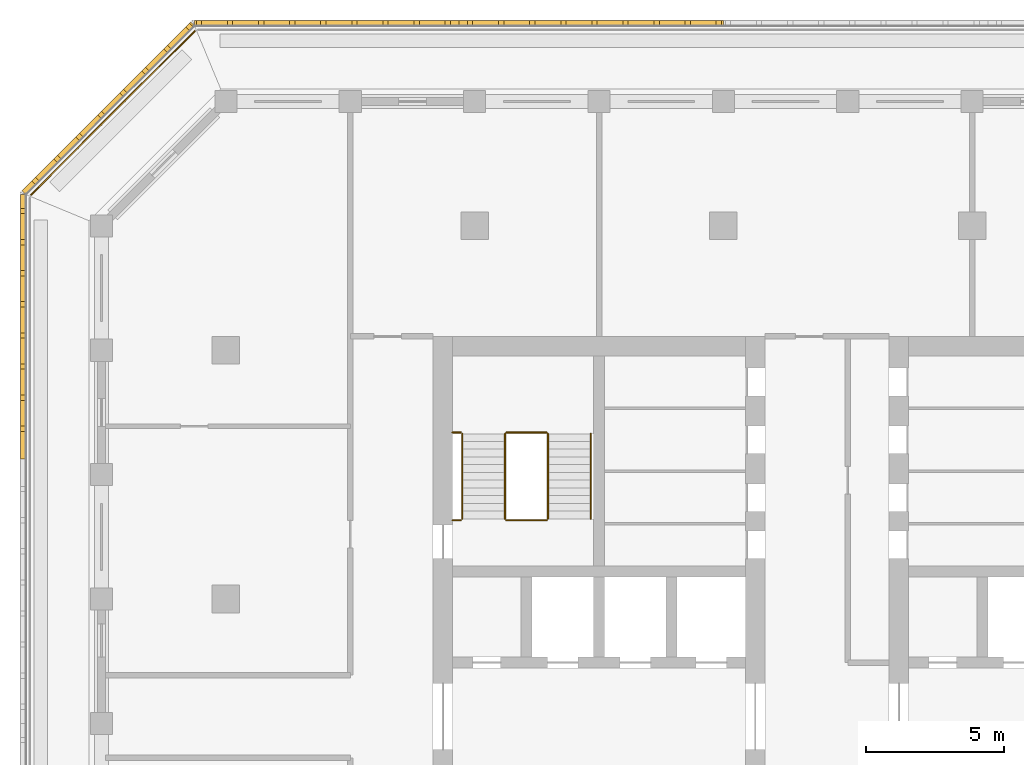
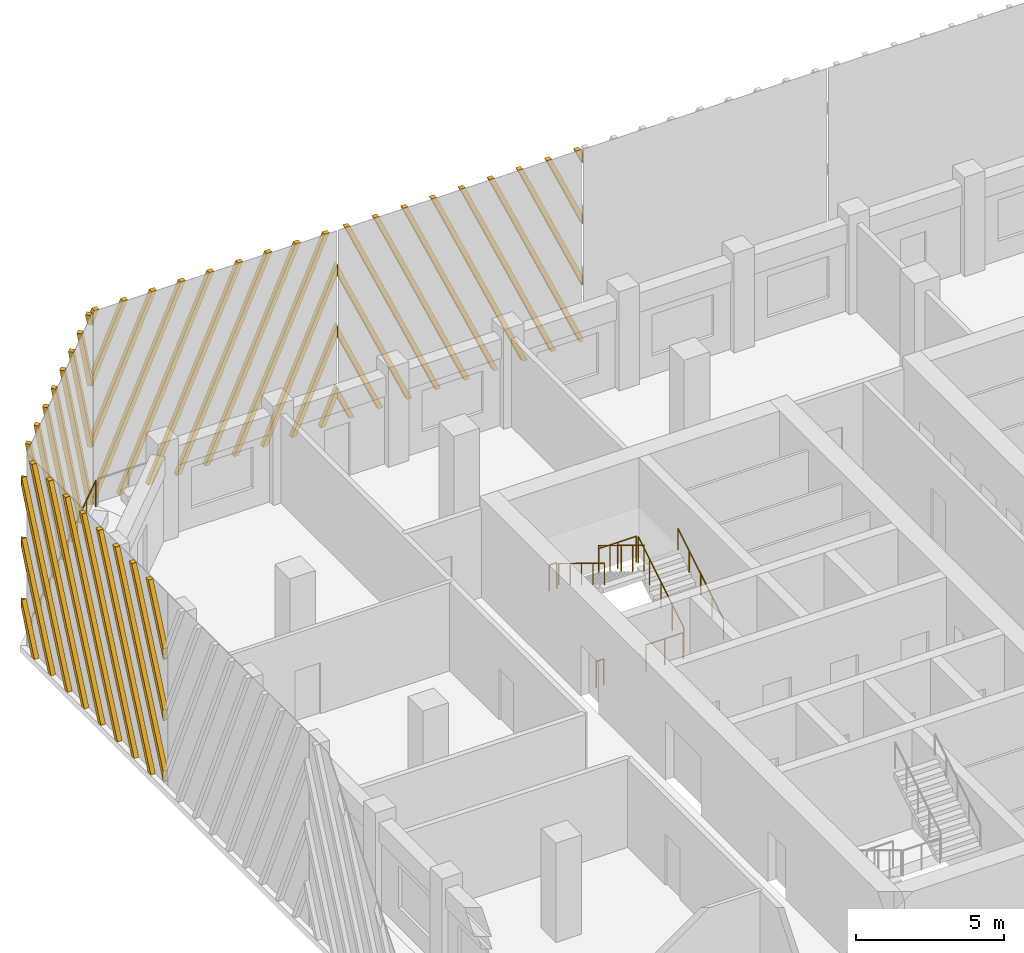
# One storey, part 12 of 15: 9 railings, 4 shading devices.
"""IFC4 building model written with IfcOpenShell, lengths in metres."""

from ifc_helpers import new_model, si_unit, direction, frame, origin, origin_2d, place, context, subcontext, project, spatial, polyline, circle, outline, extrude, source, transform, mapped, material, type_object, element, save


model = new_model("IFC4")

# Units and contexts
model_context = context("Model", 3, precision=1e-05, world=origin(), true_north=direction((0.0, 1.0)))
body_context = subcontext(model_context, "Body", "Model", "MODEL_VIEW")
ifc_project = project(units=[si_unit("LENGTHUNIT", "METRE"), si_unit("AREAUNIT", "SQUARE_METRE"), si_unit("VOLUMEUNIT", "CUBIC_METRE"), si_unit("PLANEANGLEUNIT", "RADIAN"), si_unit("MASSUNIT", "GRAM", prefix="KILO")], contexts=[model_context])

# Site, building, storey
site_placement = place(None, origin())
site = spatial("IfcSite", under=ifc_project, at=site_placement, CompositionType="ELEMENT")
building_placement = place(site_placement, origin())
building = spatial("IfcBuilding", under=site, at=building_placement, Name="Corbel Stack Research Tower", CompositionType="ELEMENT")
storey_placement = place(building_placement, frame((0.0, 0.0, 274.5)))
storey = spatial("IfcBuildingStorey", under=building, at=storey_placement, Name="L62", CompositionType="ELEMENT", Elevation=274.5)

# Railings
ifc_material_1 = material(Name="Steel S355", Category="steel")
railing_type_1 = type_object("IfcRailingType", Name="Stair guard 1100", PredefinedType="GUARDRAIL", material=ifc_material_1)
railing_1_placement = place(storey_placement, frame((-6.35009765625, 11.89990234375, 0.1708984375)))
element("IfcRailing", 1, at=railing_1_placement, inside=storey, type_object=railing_type_1, Name="L62 ST-W2 stair guard 1", PredefinedType="GUARDRAIL", context=body_context, shape_type="SweptSolid", body=[
    extrude(circle(Radius=0.02392578125, at=origin_2d()), frame((0.0, 0.0, 1.076171875), z_axis=(0.0, 0.853666305674, 0.52082035152), x_axis=(-1.0, 0.0, 0.0)), (0.0, 0.0, 1.0), 3.608154296875),
    extrude(circle(Radius=0.02099609375, at=origin_2d()), origin(), (0.0, 0.0, 1.0), 1.052001953125),
    extrude(circle(Radius=0.02099609375, at=origin_2d()), frame((0.0, 0.77001953125, 0.4697265625)), (0.0, 0.0, 1.0), 1.052001953125),
    extrude(circle(Radius=0.02099609375, at=origin_2d()), frame((0.0, 1.5400390625, 0.939453125)), (0.0, 0.0, 1.0), 1.052001953125),
    extrude(circle(Radius=0.02099609375, at=origin_2d()), frame((0.0, 2.31005859375, 1.409423828125)), (0.0, 0.0, 1.0), 1.052001953125),
    extrude(circle(Radius=0.02099609375, at=origin_2d()), frame((0.0, 3.080078125, 1.879150390625)), (0.0, 0.0, 1.0), 1.052001953125),
])
railing_2_placement = place(storey_placement, frame((-6.39990234375, 15.030029296875, 2.050048828125)))
element("IfcRailing", 2, at=railing_2_placement, inside=storey, type_object=railing_type_1, Name="L62 ST-W2 stair guard 2", PredefinedType="GUARDRAIL", context=body_context, shape_type="SweptSolid", body=[
    extrude(circle(Radius=0.02392578125, at=origin_2d()), frame((0.0, 0.0, 1.076171875), z_axis=(-1.0, 0.0, 0.0), x_axis=(0.0, -1.0, 0.0)), (0.0, 0.0, 1.0), 1.4501953125),
    extrude(circle(Radius=0.02099609375, at=origin_2d()), origin(), (0.0, 0.0, 1.0), 1.052001953125),
    extrude(circle(Radius=0.02099609375, at=origin_2d()), frame((-0.72509765625, 0.0, 0.0)), (0.0, 0.0, 1.0), 1.052001953125),
    extrude(circle(Radius=0.02099609375, at=origin_2d()), frame((-1.4501953125, 0.0, 0.0)), (0.0, 0.0, 1.0), 1.052001953125),
])
railing_3_placement = place(storey_placement, frame((-9.5, 15.030029296875, 2.050048828125)))
element("IfcRailing", 3, at=railing_3_placement, inside=storey, type_object=railing_type_1, Name="L62 ST-W2 stair guard 3", PredefinedType="GUARDRAIL", context=body_context, shape_type="SweptSolid", body=[
    extrude(circle(Radius=0.02392578125, at=origin_2d()), frame((0.0, 0.0, 1.076171875), z_axis=(-1.0, 0.0, 0.0), x_axis=(0.0, -1.0, 0.0)), (0.0, 0.0, 1.0), 0.300048828125),
    extrude(circle(Radius=0.02099609375, at=origin_2d()), origin(), (0.0, 0.0, 1.0), 1.052001953125),
    extrude(circle(Radius=0.02099609375, at=origin_2d()), frame((-0.300048828125, 0.0, 0.0)), (0.0, 0.0, 1.0), 1.052001953125),
])
railing_4_placement = place(storey_placement, frame((-7.89990234375, 14.97998046875, 2.220947265625)))
element("IfcRailing", 4, at=railing_4_placement, inside=storey, type_object=railing_type_1, Name="L62 ST-W2 stair guard 4", PredefinedType="GUARDRAIL", context=body_context, shape_type="SweptSolid", body=[
    extrude(circle(Radius=0.02392578125, at=origin_2d()), frame((0.0, 0.0, 1.076171875), z_axis=(0.0, -0.853666305674, 0.52082035152), x_axis=(1.0, 0.0, 0.0)), (0.0, 0.0, 1.0), 3.608154296875),
    extrude(circle(Radius=0.02099609375, at=origin_2d()), origin(), (0.0, 0.0, 1.0), 1.052001953125),
    extrude(circle(Radius=0.02099609375, at=origin_2d()), frame((0.0, -0.77001953125, 0.4697265625)), (0.0, 0.0, 1.0), 1.052001953125),
    extrude(circle(Radius=0.02099609375, at=origin_2d()), frame((0.0, -1.5400390625, 0.939453125)), (0.0, 0.0, 1.0), 1.052001953125),
    extrude(circle(Radius=0.02099609375, at=origin_2d()), frame((0.0, -2.31005859375, 1.409423828125)), (0.0, 0.0, 1.0), 1.052001953125),
    extrude(circle(Radius=0.02099609375, at=origin_2d()), frame((0.0, -3.080078125, 1.879150390625)), (0.0, 0.0, 1.0), 1.052001953125),
])
railing_5_placement = place(storey_placement, frame((-6.39990234375, 11.85009765625, 0.0)))
element("IfcRailing", 5, at=railing_5_placement, inside=storey, type_object=railing_type_1, Name="L62 ST-W2 stair guard 5", PredefinedType="GUARDRAIL", context=body_context, shape_type="SweptSolid", body=[
    extrude(circle(Radius=0.02392578125, at=origin_2d()), frame((0.0, 0.0, 1.076171875), z_axis=(-1.0, 0.0, 0.0), x_axis=(0.0, -1.0, 0.0)), (0.0, 0.0, 1.0), 1.4501953125),
    extrude(circle(Radius=0.02099609375, at=origin_2d()), origin(), (0.0, 0.0, 1.0), 1.052001953125),
    extrude(circle(Radius=0.02099609375, at=origin_2d()), frame((-0.72509765625, 0.0, 0.0)), (0.0, 0.0, 1.0), 1.052001953125),
    extrude(circle(Radius=0.02099609375, at=origin_2d()), frame((-1.4501953125, 0.0, 0.0)), (0.0, 0.0, 1.0), 1.052001953125),
])
railing_6_placement = place(storey_placement, frame((-9.5, 11.85009765625, 0.0)))
element("IfcRailing", 6, at=railing_6_placement, inside=storey, type_object=railing_type_1, Name="L62 ST-W2 stair guard 6", PredefinedType="GUARDRAIL", context=body_context, shape_type="SweptSolid", body=[
    extrude(circle(Radius=0.02392578125, at=origin_2d()), frame((0.0, 0.0, 1.076171875), z_axis=(-1.0, 0.0, 0.0), x_axis=(0.0, -1.0, 0.0)), (0.0, 0.0, 1.0), 0.300048828125),
    extrude(circle(Radius=0.02099609375, at=origin_2d()), origin(), (0.0, 0.0, 1.0), 1.052001953125),
    extrude(circle(Radius=0.02099609375, at=origin_2d()), frame((-0.300048828125, 0.0, 0.0)), (0.0, 0.0, 1.0), 1.052001953125),
])
ifc_material_2 = material(Name="Steel S355", Category="steel")
railing_type_2 = type_object("IfcRailingType", Name="Stair handrail 900", PredefinedType="HANDRAIL", material=ifc_material_2)
railing_7_placement = place(storey_placement, frame((-4.800048828125, 11.89990234375, 0.1708984375)))
element("IfcRailing", 7, at=railing_7_placement, inside=storey, type_object=railing_type_2, Name="L62 ST-W2 stair handrail 1", PredefinedType="HANDRAIL", context=body_context, shape_type="SweptSolid", body=[
    extrude(circle(Radius=0.02392578125, at=origin_2d()), frame((0.0, 0.0, 0.8759765625), z_axis=(0.0, 0.853666305674, 0.52082035152), x_axis=(-1.0, 0.0, 0.0)), (0.0, 0.0, 1.0), 3.608154296875),
    extrude(circle(Radius=0.02099609375, at=origin_2d()), origin(), (0.0, 0.0, 1.0), 0.851806640625),
    extrude(circle(Radius=0.02099609375, at=origin_2d()), frame((0.0, 0.77001953125, 0.4697265625)), (0.0, 0.0, 1.0), 0.851806640625),
    extrude(circle(Radius=0.02099609375, at=origin_2d()), frame((0.0, 1.5400390625, 0.939453125)), (0.0, 0.0, 1.0), 0.851806640625),
    extrude(circle(Radius=0.02099609375, at=origin_2d()), frame((0.0, 2.31005859375, 1.409423828125)), (0.0, 0.0, 1.0), 0.851806640625),
    extrude(circle(Radius=0.02099609375, at=origin_2d()), frame((0.0, 3.080078125, 1.879150390625)), (0.0, 0.0, 1.0), 0.851806640625),
])
railing_8_placement = place(storey_placement, frame((-9.449951171875, 14.97998046875, 2.220947265625)))
element("IfcRailing", 8, at=railing_8_placement, inside=storey, type_object=railing_type_2, Name="L62 ST-W2 stair handrail 2", PredefinedType="HANDRAIL", context=body_context, shape_type="SweptSolid", body=[
    extrude(circle(Radius=0.02392578125, at=origin_2d()), frame((0.0, 0.0, 0.8759765625), z_axis=(0.0, -0.853666305674, 0.52082035152), x_axis=(1.0, 0.0, 0.0)), (0.0, 0.0, 1.0), 3.608154296875),
    extrude(circle(Radius=0.02099609375, at=origin_2d()), origin(), (0.0, 0.0, 1.0), 0.851806640625),
    extrude(circle(Radius=0.02099609375, at=origin_2d()), frame((0.0, -0.77001953125, 0.4697265625)), (0.0, 0.0, 1.0), 0.851806640625),
    extrude(circle(Radius=0.02099609375, at=origin_2d()), frame((0.0, -1.5400390625, 0.939453125)), (0.0, 0.0, 1.0), 0.851806640625),
    extrude(circle(Radius=0.02099609375, at=origin_2d()), frame((0.0, -2.31005859375, 1.409423828125)), (0.0, 0.0, 1.0), 0.851806640625),
    extrude(circle(Radius=0.02099609375, at=origin_2d()), frame((0.0, -3.080078125, 1.879150390625)), (0.0, 0.0, 1.0), 0.851806640625),
])
ifc_material_3 = material(Name="Powder-coated steel guard", Category="steel")
railing_type_3 = type_object("IfcRailingType", Name="Steel and glass guard 1100", PredefinedType="GUARDRAIL", material=ifc_material_3)
railing_9_placement = place(storey_placement, frame((-19.127685546875, 29.54931640625, 0.0)))
element("IfcRailing", 9, at=railing_9_placement, inside=storey, type_object=railing_type_3, Name="Loggia guard L62 NW", PredefinedType="GUARDRAIL", context=body_context, shape_type="SweptSolid", body=[
    extrude(circle(Radius=0.02392578125, at=origin_2d()), frame((0.0, 0.0, 1.076171875), z_axis=(-0.707106781187, -0.707106781187, 0.0), x_axis=(0.707106781187, -0.707106781187, 0.0)), (0.0, 0.0, 1.0), 8.37451171875),
    extrude(circle(Radius=0.02099609375, at=origin_2d()), origin(), (0.0, 0.0, 1.0), 1.052001953125),
    extrude(circle(Radius=0.02099609375, at=origin_2d()), frame((-0.845947265625, -0.845947265625, 0.0)), (0.0, 0.0, 1.0), 1.052001953125),
    extrude(circle(Radius=0.02099609375, at=origin_2d()), frame((-1.69189453125, -1.69189453125, 0.0)), (0.0, 0.0, 1.0), 1.052001953125),
    extrude(circle(Radius=0.02099609375, at=origin_2d()), frame((-2.537841796875, -2.537841796875, 0.0)), (0.0, 0.0, 1.0), 1.052001953125),
    extrude(circle(Radius=0.02099609375, at=origin_2d()), frame((-3.3837890625, -3.3837890625, 0.0)), (0.0, 0.0, 1.0), 1.052001953125),
    extrude(circle(Radius=0.02099609375, at=origin_2d()), frame((-4.229736328125, -4.229736328125, 0.0)), (0.0, 0.0, 1.0), 1.052001953125),
    extrude(circle(Radius=0.02099609375, at=origin_2d()), frame((-5.07568359375, -5.07568359375, 0.0)), (0.0, 0.0, 1.0), 1.052001953125),
    extrude(circle(Radius=0.02099609375, at=origin_2d()), frame((-5.921630859375, -5.921630859375, 0.0)), (0.0, 0.0, 1.0), 1.052001953125),
])

# Shading devices
ifc_material_4 = material(Name="Precast terracotta", Category="masonry")
shading_device_type = type_object("IfcShadingDeviceType", Name="Terracotta screen panel", PredefinedType="USERDEFINED", material=ifc_material_4)
shared_shape_1 = source(origin(), body_context, "Body", "SweptSolid", [
    extrude(outline(polyline([(0.259521484375, 7.949951171875), (0.069580078125, 7.949951171875), (0.0, 7.793701171875), (0.0, 7.366943359375), (0.259521484375, 7.949951171875)])), frame((0.0, 0.0, 0.0), z_axis=(0.0, -1.0, 0.0), x_axis=(1.0, 0.0, 0.0)), (0.0, 0.0, 1.0), 0.179931640625),
    extrude(outline(polyline([(1.384521484375, 7.949951171875), (1.194580078125, 7.949951171875), (0.0, 5.26708984375), (0.0, 4.840087890625), (1.384521484375, 7.949951171875)])), frame((0.0, 0.0, 0.0), z_axis=(0.0, -1.0, 0.0), x_axis=(1.0, 0.0, 0.0)), (0.0, 0.0, 1.0), 0.179931640625),
    extrude(outline(polyline([(2.509521484375, 7.949951171875), (2.319580078125, 7.949951171875), (0.0, 2.740234375), (0.0, 2.3134765625), (2.509521484375, 7.949951171875)])), frame((0.0, 0.0, 0.0), z_axis=(0.0, -1.0, 0.0), x_axis=(1.0, 0.0, 0.0)), (0.0, 0.0, 1.0), 0.179931640625),
    extrude(outline(polyline([(0.094970703125, 0.0), (3.634521484375, 7.949951171875), (3.444580078125, 7.949951171875), (0.0, 0.21337890625), (0.0, 0.0), (0.094970703125, 0.0)])), frame((0.0, 0.0, 0.0), z_axis=(0.0, -1.0, 0.0), x_axis=(1.0, 0.0, 0.0)), (0.0, 0.0, 1.0), 0.179931640625),
    extrude(outline(polyline([(1.219970703125, 0.0), (4.759521484375, 7.949951171875), (4.569580078125, 7.949951171875), (1.030029296875, 0.0), (1.219970703125, 0.0)])), frame((0.0, 0.0, 0.0), z_axis=(0.0, -1.0, 0.0), x_axis=(1.0, 0.0, 0.0)), (0.0, 0.0, 1.0), 0.179931640625),
    extrude(outline(polyline([(2.344970703125, 0.0), (5.884521484375, 7.949951171875), (5.694580078125, 7.949951171875), (2.155029296875, 0.0), (2.344970703125, 0.0)])), frame((0.0, 0.0, 0.0), z_axis=(0.0, -1.0, 0.0), x_axis=(1.0, 0.0, 0.0)), (0.0, 0.0, 1.0), 0.179931640625),
    extrude(outline(polyline([(3.469970703125, 0.0), (7.009521484375, 7.949951171875), (6.819580078125, 7.949951171875), (3.280029296875, 0.0), (3.469970703125, 0.0)])), frame((0.0, 0.0, 0.0), z_axis=(0.0, -1.0, 0.0), x_axis=(1.0, 0.0, 0.0)), (0.0, 0.0, 1.0), 0.179931640625),
    extrude(outline(polyline([(4.594970703125, 0.0), (8.134521484375, 7.949951171875), (7.944580078125, 7.949951171875), (4.405029296875, 0.0), (4.594970703125, 0.0)])), frame((0.0, 0.0, 0.0), z_axis=(0.0, -1.0, 0.0), x_axis=(1.0, 0.0, 0.0)), (0.0, 0.0, 1.0), 0.179931640625),
    extrude(outline(polyline([(5.719970703125, 0.0), (9.259521484375, 7.949951171875), (9.069580078125, 7.949951171875), (5.530029296875, 0.0), (5.719970703125, 0.0)])), frame((0.0, 0.0, 0.0), z_axis=(0.0, -1.0, 0.0), x_axis=(1.0, 0.0, 0.0)), (0.0, 0.0, 1.0), 0.179931640625),
    extrude(outline(polyline([(6.844970703125, 0.0), (9.569580078125, 6.119384765625), (9.569580078125, 6.546142578125), (6.655029296875, 0.0), (6.844970703125, 0.0)])), frame((0.0, 0.0, 0.0), z_axis=(0.0, -1.0, 0.0), x_axis=(1.0, 0.0, 0.0)), (0.0, 0.0, 1.0), 0.179931640625),
    extrude(outline(polyline([(7.969970703125, 0.0), (9.569580078125, 3.592529296875), (9.569580078125, 4.019287109375), (7.780029296875, 0.0), (7.969970703125, 0.0)])), frame((0.0, 0.0, 0.0), z_axis=(0.0, -1.0, 0.0), x_axis=(1.0, 0.0, 0.0)), (0.0, 0.0, 1.0), 0.179931640625),
    extrude(outline(polyline([(9.094970703125, 0.0), (9.569580078125, 1.06591796875), (9.569580078125, 1.49267578125), (8.905029296875, 0.0), (9.094970703125, 0.0)])), frame((0.0, 0.0, 0.0), z_axis=(0.0, -1.0, 0.0), x_axis=(1.0, 0.0, 0.0)), (0.0, 0.0, 1.0), 0.179931640625),
])
shading_device_1_placement = place(storey_placement, frame((0.0, 29.75, 0.0), z_axis=(0.0, 0.0, 1.0), x_axis=(-1.0, 0.0, 0.0)))
element("IfcShadingDevice", 10, at=shading_device_1_placement, inside=storey, type_object=shading_device_type, Name="Terracotta screen L62 N3", ObjectType="SCREEN", PredefinedType="USERDEFINED", context=body_context, shape_type="MappedRepresentation", body=[
    mapped(shared_shape_1, transform((0.0, 0.0, 0.0))),
])
shared_shape_2 = source(origin(), body_context, "Body", "SweptSolid", [
    extrude(outline(polyline([(0.66455078125, 0.0), (0.0, 1.49267578125), (0.0, 1.06591796875), (0.474609375, 0.0), (0.66455078125, 0.0)])), frame((0.0, 0.0, 0.0), z_axis=(0.0, -1.0, 0.0), x_axis=(1.0, 0.0, 0.0)), (0.0, 0.0, 1.0), 0.179931640625),
    extrude(outline(polyline([(1.78955078125, 0.0), (0.0, 4.019287109375), (0.0, 3.592529296875), (1.599609375, 0.0), (1.78955078125, 0.0)])), frame((0.0, 0.0, 0.0), z_axis=(0.0, -1.0, 0.0), x_axis=(1.0, 0.0, 0.0)), (0.0, 0.0, 1.0), 0.179931640625),
    extrude(outline(polyline([(2.91455078125, 0.0), (0.0, 6.546142578125), (0.0, 6.119384765625), (2.724609375, 0.0), (2.91455078125, 0.0)])), frame((0.0, 0.0, 0.0), z_axis=(0.0, -1.0, 0.0), x_axis=(1.0, 0.0, 0.0)), (0.0, 0.0, 1.0), 0.179931640625),
    extrude(outline(polyline([(4.03955078125, 0.0), (0.5, 7.949951171875), (0.31005859375, 7.949951171875), (3.849609375, 0.0), (4.03955078125, 0.0)])), frame((0.0, 0.0, 0.0), z_axis=(0.0, -1.0, 0.0), x_axis=(1.0, 0.0, 0.0)), (0.0, 0.0, 1.0), 0.179931640625),
    extrude(outline(polyline([(5.16455078125, 0.0), (1.625, 7.949951171875), (1.43505859375, 7.949951171875), (4.974609375, 0.0), (5.16455078125, 0.0)])), frame((0.0, 0.0, 0.0), z_axis=(0.0, -1.0, 0.0), x_axis=(1.0, 0.0, 0.0)), (0.0, 0.0, 1.0), 0.179931640625),
    extrude(outline(polyline([(6.28955078125, 0.0), (2.75, 7.949951171875), (2.56005859375, 7.949951171875), (6.099609375, 0.0), (6.28955078125, 0.0)])), frame((0.0, 0.0, 0.0), z_axis=(0.0, -1.0, 0.0), x_axis=(1.0, 0.0, 0.0)), (0.0, 0.0, 1.0), 0.179931640625),
    extrude(outline(polyline([(7.41455078125, 0.0), (3.875, 7.949951171875), (3.68505859375, 7.949951171875), (7.224609375, 0.0), (7.41455078125, 0.0)])), frame((0.0, 0.0, 0.0), z_axis=(0.0, -1.0, 0.0), x_axis=(1.0, 0.0, 0.0)), (0.0, 0.0, 1.0), 0.179931640625),
    extrude(outline(polyline([(8.53955078125, 0.0), (5.0, 7.949951171875), (4.81005859375, 7.949951171875), (8.349609375, 0.0), (8.53955078125, 0.0)])), frame((0.0, 0.0, 0.0), z_axis=(0.0, -1.0, 0.0), x_axis=(1.0, 0.0, 0.0)), (0.0, 0.0, 1.0), 0.179931640625),
    extrude(outline(polyline([(9.569580078125, 0.0), (9.569580078125, 0.21337890625), (6.125, 7.949951171875), (5.93505859375, 7.949951171875), (9.474609375, 0.0), (9.569580078125, 0.0)])), frame((0.0, 0.0, 0.0), z_axis=(0.0, -1.0, 0.0), x_axis=(1.0, 0.0, 0.0)), (0.0, 0.0, 1.0), 0.179931640625),
    extrude(outline(polyline([(7.25, 7.949951171875), (7.06005859375, 7.949951171875), (9.569580078125, 2.3134765625), (9.569580078125, 2.740234375), (7.25, 7.949951171875)])), frame((0.0, 0.0, 0.0), z_axis=(0.0, -1.0, 0.0), x_axis=(1.0, 0.0, 0.0)), (0.0, 0.0, 1.0), 0.179931640625),
    extrude(outline(polyline([(8.375, 7.949951171875), (8.18505859375, 7.949951171875), (9.569580078125, 4.840087890625), (9.569580078125, 5.26708984375), (8.375, 7.949951171875)])), frame((0.0, 0.0, 0.0), z_axis=(0.0, -1.0, 0.0), x_axis=(1.0, 0.0, 0.0)), (0.0, 0.0, 1.0), 0.179931640625),
    extrude(outline(polyline([(9.5, 7.949951171875), (9.31005859375, 7.949951171875), (9.569580078125, 7.366943359375), (9.569580078125, 7.793701171875), (9.5, 7.949951171875)])), frame((0.0, 0.0, 0.0), z_axis=(0.0, -1.0, 0.0), x_axis=(1.0, 0.0, 0.0)), (0.0, 0.0, 1.0), 0.179931640625),
])
shading_device_2_placement = place(storey_placement, frame((-9.569580078125, 29.75, 0.0), z_axis=(0.0, 0.0, 1.0), x_axis=(-1.0, 0.0, 0.0)))
element("IfcShadingDevice", 11, at=shading_device_2_placement, inside=storey, type_object=shading_device_type, Name="Terracotta screen L62 N4", ObjectType="SCREEN", PredefinedType="USERDEFINED", context=body_context, shape_type="MappedRepresentation", body=[
    mapped(shared_shape_2, transform((0.0, 0.0, 0.0))),
])
shared_shape_3 = source(origin(), body_context, "Body", "SweptSolid", [
    extrude(outline(polyline([(0.259521484375, 7.949951171875), (0.069580078125, 7.949951171875), (0.0, 7.793701171875), (0.0, 7.366943359375), (0.259521484375, 7.949951171875)])), frame((0.0, 0.0, 0.0), z_axis=(0.0, -1.0, 0.0), x_axis=(1.0, 0.0, 0.0)), (0.0, 0.0, 1.0), 0.179931640625),
    extrude(outline(polyline([(1.384521484375, 7.949951171875), (1.194580078125, 7.949951171875), (0.0, 5.26708984375), (0.0, 4.840087890625), (1.384521484375, 7.949951171875)])), frame((0.0, 0.0, 0.0), z_axis=(0.0, -1.0, 0.0), x_axis=(1.0, 0.0, 0.0)), (0.0, 0.0, 1.0), 0.179931640625),
    extrude(outline(polyline([(2.509521484375, 7.949951171875), (2.319580078125, 7.949951171875), (0.0, 2.740234375), (0.0, 2.3134765625), (2.509521484375, 7.949951171875)])), frame((0.0, 0.0, 0.0), z_axis=(0.0, -1.0, 0.0), x_axis=(1.0, 0.0, 0.0)), (0.0, 0.0, 1.0), 0.179931640625),
    extrude(outline(polyline([(0.094970703125, 0.0), (3.634521484375, 7.949951171875), (3.444580078125, 7.949951171875), (0.0, 0.21337890625), (0.0, 0.0), (0.094970703125, 0.0)])), frame((0.0, 0.0, 0.0), z_axis=(0.0, -1.0, 0.0), x_axis=(1.0, 0.0, 0.0)), (0.0, 0.0, 1.0), 0.179931640625),
    extrude(outline(polyline([(1.219970703125, 0.0), (4.759521484375, 7.949951171875), (4.569580078125, 7.949951171875), (1.030029296875, 0.0), (1.219970703125, 0.0)])), frame((0.0, 0.0, 0.0), z_axis=(0.0, -1.0, 0.0), x_axis=(1.0, 0.0, 0.0)), (0.0, 0.0, 1.0), 0.179931640625),
    extrude(outline(polyline([(2.344970703125, 0.0), (5.884521484375, 7.949951171875), (5.694580078125, 7.949951171875), (2.155029296875, 0.0), (2.344970703125, 0.0)])), frame((0.0, 0.0, 0.0), z_axis=(0.0, -1.0, 0.0), x_axis=(1.0, 0.0, 0.0)), (0.0, 0.0, 1.0), 0.179931640625),
    extrude(outline(polyline([(3.469970703125, 0.0), (7.009521484375, 7.949951171875), (6.819580078125, 7.949951171875), (3.280029296875, 0.0), (3.469970703125, 0.0)])), frame((0.0, 0.0, 0.0), z_axis=(0.0, -1.0, 0.0), x_axis=(1.0, 0.0, 0.0)), (0.0, 0.0, 1.0), 0.179931640625),
    extrude(outline(polyline([(4.594970703125, 0.0), (8.134521484375, 7.949951171875), (7.944580078125, 7.949951171875), (4.405029296875, 0.0), (4.594970703125, 0.0)])), frame((0.0, 0.0, 0.0), z_axis=(0.0, -1.0, 0.0), x_axis=(1.0, 0.0, 0.0)), (0.0, 0.0, 1.0), 0.179931640625),
    extrude(outline(polyline([(5.719970703125, 0.0), (8.64208984375, 6.563232421875), (8.64208984375, 6.989990234375), (5.530029296875, 0.0), (5.719970703125, 0.0)])), frame((0.0, 0.0, 0.0), z_axis=(0.0, -1.0, 0.0), x_axis=(1.0, 0.0, 0.0)), (0.0, 0.0, 1.0), 0.179931640625),
    extrude(outline(polyline([(6.844970703125, 0.0), (8.64208984375, 4.036376953125), (8.64208984375, 4.463134765625), (6.655029296875, 0.0), (6.844970703125, 0.0)])), frame((0.0, 0.0, 0.0), z_axis=(0.0, -1.0, 0.0), x_axis=(1.0, 0.0, 0.0)), (0.0, 0.0, 1.0), 0.179931640625),
    extrude(outline(polyline([(7.969970703125, 0.0), (8.64208984375, 1.509521484375), (8.64208984375, 1.936279296875), (7.780029296875, 0.0), (7.969970703125, 0.0)])), frame((0.0, 0.0, 0.0), z_axis=(0.0, -1.0, 0.0), x_axis=(1.0, 0.0, 0.0)), (0.0, 0.0, 1.0), 0.179931640625),
])
shading_device_3_placement = place(storey_placement, frame((-19.13916015625, 29.75, 0.0), z_axis=(0.0, 0.0, 1.0), x_axis=(-0.707106781187, -0.707106781187, 0.0)))
element("IfcShadingDevice", 12, at=shading_device_3_placement, inside=storey, type_object=shading_device_type, Name="Terracotta screen L62 NW1", ObjectType="SCREEN", PredefinedType="USERDEFINED", context=body_context, shape_type="MappedRepresentation", body=[
    mapped(shared_shape_3, transform((0.0, 0.0, 0.0))),
])
shared_shape_4 = source(origin(), body_context, "Body", "SweptSolid", [
    extrude(outline(polyline([(0.862060546875, 0.0), (0.0, 1.936279296875), (0.0, 1.509521484375), (0.672119140625, 0.0), (0.862060546875, 0.0)])), frame((0.0, 0.0, 0.0), z_axis=(0.0, -1.0, 0.0), x_axis=(1.0, 0.0, 0.0)), (0.0, 0.0, 1.0), 0.179931640625),
    extrude(outline(polyline([(1.987060546875, 0.0), (0.0, 4.463134765625), (0.0, 4.036376953125), (1.797119140625, 0.0), (1.987060546875, 0.0)])), frame((0.0, 0.0, 0.0), z_axis=(0.0, -1.0, 0.0), x_axis=(1.0, 0.0, 0.0)), (0.0, 0.0, 1.0), 0.179931640625),
    extrude(outline(polyline([(3.112060546875, 0.0), (0.0, 6.989990234375), (0.0, 6.563232421875), (2.922119140625, 0.0), (3.112060546875, 0.0)])), frame((0.0, 0.0, 0.0), z_axis=(0.0, -1.0, 0.0), x_axis=(1.0, 0.0, 0.0)), (0.0, 0.0, 1.0), 0.179931640625),
    extrude(outline(polyline([(4.237060546875, 0.0), (0.697509765625, 7.949951171875), (0.507568359375, 7.949951171875), (4.047119140625, 0.0), (4.237060546875, 0.0)])), frame((0.0, 0.0, 0.0), z_axis=(0.0, -1.0, 0.0), x_axis=(1.0, 0.0, 0.0)), (0.0, 0.0, 1.0), 0.179931640625),
    extrude(outline(polyline([(5.362060546875, 0.0), (1.822509765625, 7.949951171875), (1.632568359375, 7.949951171875), (5.172119140625, 0.0), (5.362060546875, 0.0)])), frame((0.0, 0.0, 0.0), z_axis=(0.0, -1.0, 0.0), x_axis=(1.0, 0.0, 0.0)), (0.0, 0.0, 1.0), 0.179931640625),
    extrude(outline(polyline([(6.487060546875, 0.0), (2.947509765625, 7.949951171875), (2.757568359375, 7.949951171875), (6.297119140625, 0.0), (6.487060546875, 0.0)])), frame((0.0, 0.0, 0.0), z_axis=(0.0, -1.0, 0.0), x_axis=(1.0, 0.0, 0.0)), (0.0, 0.0, 1.0), 0.179931640625),
    extrude(outline(polyline([(7.612060546875, 0.0), (4.072509765625, 7.949951171875), (3.882568359375, 7.949951171875), (7.422119140625, 0.0), (7.612060546875, 0.0)])), frame((0.0, 0.0, 0.0), z_axis=(0.0, -1.0, 0.0), x_axis=(1.0, 0.0, 0.0)), (0.0, 0.0, 1.0), 0.179931640625),
    extrude(outline(polyline([(8.737060546875, 0.0), (5.197509765625, 7.949951171875), (5.007568359375, 7.949951171875), (8.547119140625, 0.0), (8.737060546875, 0.0)])), frame((0.0, 0.0, 0.0), z_axis=(0.0, -1.0, 0.0), x_axis=(1.0, 0.0, 0.0)), (0.0, 0.0, 1.0), 0.179931640625),
    extrude(outline(polyline([(6.322509765625, 7.949951171875), (6.132568359375, 7.949951171875), (9.569580078125, 0.23046875), (9.569580078125, 0.6572265625), (6.322509765625, 7.949951171875)])), frame((0.0, 0.0, 0.0), z_axis=(0.0, -1.0, 0.0), x_axis=(1.0, 0.0, 0.0)), (0.0, 0.0, 1.0), 0.179931640625),
    extrude(outline(polyline([(7.447509765625, 7.949951171875), (7.257568359375, 7.949951171875), (9.569580078125, 2.757080078125), (9.569580078125, 3.18408203125), (7.447509765625, 7.949951171875)])), frame((0.0, 0.0, 0.0), z_axis=(0.0, -1.0, 0.0), x_axis=(1.0, 0.0, 0.0)), (0.0, 0.0, 1.0), 0.179931640625),
    extrude(outline(polyline([(8.572509765625, 7.949951171875), (8.382568359375, 7.949951171875), (9.569580078125, 5.283935546875), (9.569580078125, 5.710693359375), (8.572509765625, 7.949951171875)])), frame((0.0, 0.0, 0.0), z_axis=(0.0, -1.0, 0.0), x_axis=(1.0, 0.0, 0.0)), (0.0, 0.0, 1.0), 0.179931640625),
])
shading_device_4_placement = place(storey_placement, frame((-25.25, 23.63916015625, 0.0), z_axis=(0.0, 0.0, 1.0), x_axis=(0.0, -1.0, 0.0)))
element("IfcShadingDevice", 13, at=shading_device_4_placement, inside=storey, type_object=shading_device_type, Name="Terracotta screen L62 W1", ObjectType="SCREEN", PredefinedType="USERDEFINED", context=body_context, shape_type="MappedRepresentation", body=[
    mapped(shared_shape_4, transform((0.0, 0.0, 0.0))),
])

save(model, "model.ifc")
